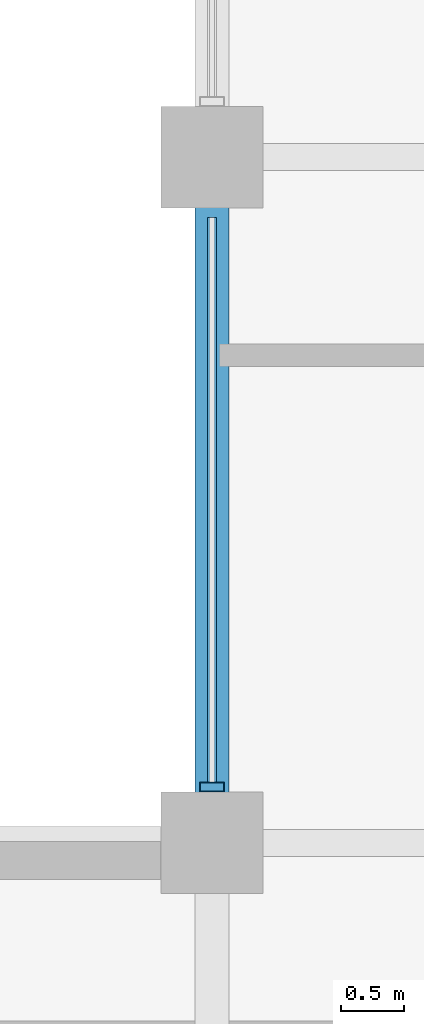
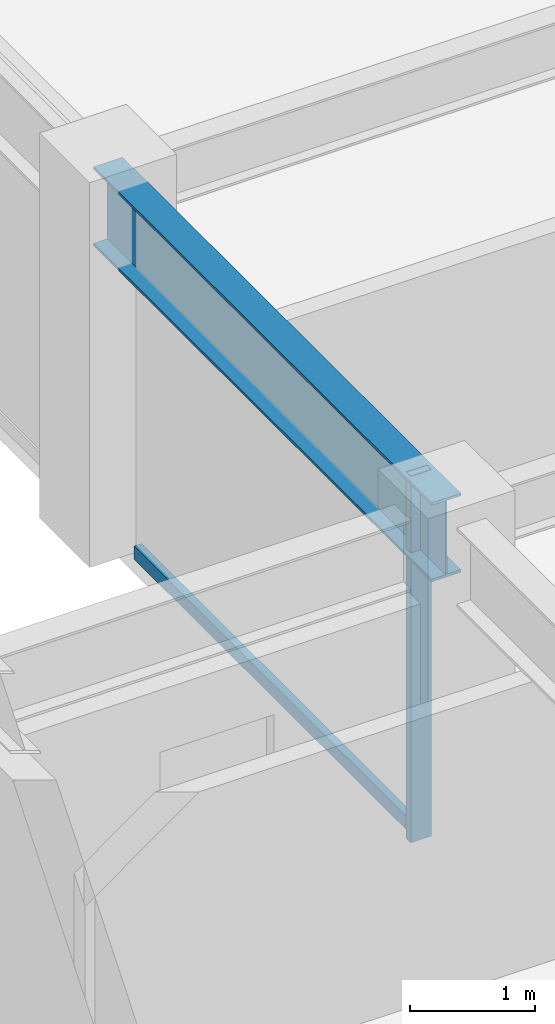
# One storey, part 7 of 28: 2 members, 1 beam, 1 element without a shape of its own.
"""IFC4 building model written with IfcOpenShell, lengths in metres."""

import ifcopenshell
import ifcopenshell.guid

model = None  # the IFC model being written
_history = None  # IfcOwnerHistory: only IFC2X3 demands one
_inside = {}  # id of a spatial element -> (the spatial element, [elements in it])
_under = {}  # id of a project, library or spatial element -> (it, [spatial elements below it])
_declared = {}  # id of a project -> (the project, [libraries it declares])
_typed = {}  # id of a type object -> (the type object, [elements of that type])
_made_of = {}  # id of a material, layer set ... -> (it, [elements and type objects made of it])


def new_model(schema):
    """Start an empty IFC model of exactly this schema.

    Asked for "IFC4X3", IfcOpenShell would pick the latest addendum, in which some entities
    have other attributes; the version numbers below select the first issue.
    IFC2X3 requires an IfcOwnerHistory on every rooted entity: one is made here for all.
    """
    global model, _history
    if schema == "IFC4X3":
        model = ifcopenshell.file(schema_version=(4, 3, 0, 0))
    else:
        model = ifcopenshell.file(schema=schema)
    _inside.clear()
    _under.clear()
    _declared.clear()
    _typed.clear()
    _made_of.clear()
    _history = None
    if model.schema == "IFC2X3":
        org = make("IfcOrganization", Name="unknown")
        user = make(
            "IfcPersonAndOrganization",
            ThePerson=make("IfcPerson", FamilyName="unknown"),
            TheOrganization=org,
        )
        app = make(
            "IfcApplication",
            ApplicationDeveloper=org,
            Version="unknown",
            ApplicationFullName="unknown",
            ApplicationIdentifier="unknown",
        )
        _history = make(
            "IfcOwnerHistory",
            OwningUser=user,
            OwningApplication=app,
            ChangeAction="ADDED",
            CreationDate=0,
        )
    return model


def make(cls, **values):
    """One entity of the class cls with the attributes given. An attribute that is None is left unset."""
    return model.create_entity(
        cls, **{name: value for name, value in values.items() if value is not None}
    )


def rooted(cls, **values):
    """An entity with a GlobalId (a new one), such as an element, a storey or a relation."""
    return make(cls, GlobalId=ifcopenshell.guid.new(), OwnerHistory=_history, **values)


def si_unit(unit_type, name, prefix=None):
    """IfcSIUnit, for example si_unit("LENGTHUNIT", "METRE", prefix="MILLI")."""
    return make("IfcSIUnit", UnitType=unit_type, Prefix=prefix, Name=name)


def assignment(units):
    """IfcUnitAssignment: the units of a project."""
    return None if units is None else make("IfcUnitAssignment", Units=units)


def point(xyz):
    """IfcCartesianPoint."""
    return None if xyz is None else make("IfcCartesianPoint", Coordinates=xyz)


def direction(xyz):
    """IfcDirection."""
    return None if xyz is None else make("IfcDirection", DirectionRatios=xyz)


def frame(location, z_axis=None, x_axis=None):
    """IfcAxis2Placement3D, a coordinate frame: its origin and axes. An axis left out is left unset."""
    return make(
        "IfcAxis2Placement3D",
        Location=point(location),
        Axis=direction(z_axis),
        RefDirection=direction(x_axis),
    )


def frame_2d(location, x_axis=None):
    """IfcAxis2Placement2D, a coordinate frame in the plane: its origin and x axis."""
    return make(
        "IfcAxis2Placement2D", Location=point(location), RefDirection=direction(x_axis)
    )


def origin():
    """The frame at (0, 0, 0) with its axes left unset."""
    return frame((0.0, 0.0, 0.0))


def origin_2d():
    """The frame at (0, 0) in the plane with its x axis left unset."""
    return frame_2d((0.0, 0.0))


def place(relative_to, where):
    """IfcLocalPlacement: puts the frame where relative to a parent placement (None: the world)."""
    return make(
        "IfcLocalPlacement", PlacementRelTo=relative_to, RelativePlacement=where
    )


def context(
    kind, dimensions, precision=None, world=None, true_north=None, identifier=None
):
    """IfcGeometricRepresentationContext, for example the 3D "Model" context."""
    return make(
        "IfcGeometricRepresentationContext",
        ContextIdentifier=identifier,
        ContextType=kind,
        CoordinateSpaceDimension=dimensions,
        Precision=precision,
        WorldCoordinateSystem=world,
        TrueNorth=true_north,
    )


def subcontext(parent, identifier, kind, view, scale=None):
    """IfcGeometricRepresentationSubContext, for example "Body" below "Model"."""
    return make(
        "IfcGeometricRepresentationSubContext",
        ContextIdentifier=identifier,
        ContextType=kind,
        ParentContext=parent,
        TargetScale=scale,
        TargetView=view,
    )


def project(units=None, contexts=None):
    """IfcProject with its units and contexts."""
    return rooted(
        "IfcProject",
        Name="project",
        RepresentationContexts=contexts,
        UnitsInContext=assignment(units),
    )


def spatial(cls, under=None, at=None, **own):
    """A site, building, storey or space (cls), placed at a placement, below another one or the project."""
    s = rooted(cls, ObjectPlacement=at, **own)
    if under is not None:
        _under.setdefault(under.id(), (under, []))[1].append(s)
    return s


def profile(cls, at=None, kind="AREA", **sizes):
    """A parametric profile (cls). Its sizes go by their IFC names, for example OverallWidth=200.0."""
    return make(cls, ProfileType=kind, Position=at, **sizes)


def hollow_rectangle(**sizes):
    """IfcRectangleHollowProfileDef."""
    return profile("IfcRectangleHollowProfileDef", **sizes)


def i_section(**sizes):
    """IfcIShapeProfileDef."""
    return profile("IfcIShapeProfileDef", **sizes)


def extrude(swept, where, along, depth):
    """IfcExtrudedAreaSolid: the profile swept, set in the frame where, extruded along a direction by depth."""
    return make(
        "IfcExtrudedAreaSolid",
        SweptArea=swept,
        Position=where,
        ExtrudedDirection=direction(along),
        Depth=depth,
    )


def shape(context_of_items, identifier, shape_type, items):
    """IfcShapeRepresentation: the items that make up one representation, for example the "Body"."""
    return make(
        "IfcShapeRepresentation",
        ContextOfItems=context_of_items,
        RepresentationIdentifier=identifier,
        RepresentationType=shape_type,
        Items=items,
    )


def material(Name=None, Category=None):
    """IfcMaterial."""
    return make("IfcMaterial", Name=Name, Category=Category)


def layer(
    of_material, thickness, ventilated=None, Name=None, Category=None, Priority=None
):
    """IfcMaterialLayer: one layer of a wall or slab, of a material (None: an air gap)."""
    return make(
        "IfcMaterialLayer",
        Material=of_material,
        LayerThickness=thickness,
        IsVentilated=ventilated,
        Name=Name,
        Category=Category,
        Priority=Priority,
    )


def layer_set(layers, Name=None):
    """IfcMaterialLayerSet."""
    return make("IfcMaterialLayerSet", MaterialLayers=layers, LayerSetName=Name)


def material_profile(
    of_material, cross_section, Name=None, Category=None, Priority=None
):
    """IfcMaterialProfile: a cross section and its material."""
    return make(
        "IfcMaterialProfile",
        Name=Name,
        Material=of_material,
        Profile=cross_section,
        Priority=Priority,
        Category=Category,
    )


def profile_set(profiles, Name=None, composite=None):
    """IfcMaterialProfileSet."""
    return make(
        "IfcMaterialProfileSet",
        Name=Name,
        MaterialProfiles=profiles,
        CompositeProfile=composite,
    )


def made_of(thing, what):
    """Note that an element or type object is made of a material, layer set ...; save() writes the relation."""
    if what is not None:
        _made_of.setdefault(what.id(), (what, []))[1].append(thing)
    return thing


def type_object(cls, material=None, **own):
    """A type object (cls), such as IfcWallType, which elements share."""
    return made_of(rooted(cls, **own), material)


def element(
    cls,
    number,
    at=None,
    inside=None,
    cuts=None,
    type_object=None,
    material=None,
    context=None,
    identifier="Body",
    shape_type=None,
    held_by="IfcProductDefinitionShape",
    body=None,
    shapes=None,
    **own,
):
    """One element of the class cls, such as IfcWall. Its Tag is "e" and its number.

    at: its placement. inside: the storey or other place that contains it. cuts: it is an
    opening in that element (IfcRelVoidsElement). A single representation is given by context,
    identifier, shape_type and body (its items); several are given by shapes. held_by: the class
    of the entity that holds the representations. save() writes the other relations.
    """
    e = rooted(cls, Tag="e%d" % number, ObjectPlacement=at, **own)
    if body is not None:
        shapes = [shape(context, identifier, shape_type, body)]
    if shapes is not None:
        e.Representation = make(held_by, Representations=shapes)
    if inside is not None:
        _inside.setdefault(inside.id(), (inside, []))[1].append(e)
    if cuts is not None:
        rooted(
            "IfcRelVoidsElement", RelatingBuildingElement=cuts, RelatedOpeningElement=e
        )
    if type_object is not None:
        _typed.setdefault(type_object.id(), (type_object, []))[1].append(e)
    return made_of(e, material)


def aggregate(whole, parts):
    """IfcRelAggregates: a whole, such as a stair, and the parts it consists of."""
    return rooted("IfcRelAggregates", RelatingObject=whole, RelatedObjects=parts)


def save(model, path):
    """Write the relations noted so far, then the file.

    IfcRelAggregates (storeys below a building ...), IfcRelContainedInSpatialStructure (elements
    in a storey), IfcRelDefinesByType, IfcRelAssociatesMaterial and IfcRelDeclares: one each for
    every whole, place, type object, material and project.
    """
    for whole, parts in _under.values():
        aggregate(whole, parts)
    for where, things in _inside.values():
        rooted(
            "IfcRelContainedInSpatialStructure",
            RelatedElements=things,
            RelatingStructure=where,
        )
    for kind, things in _typed.values():
        rooted("IfcRelDefinesByType", RelatedObjects=things, RelatingType=kind)
    for what, things in _made_of.values():
        rooted("IfcRelAssociatesMaterial", RelatedObjects=things, RelatingMaterial=what)
    for by, libraries in _declared.values():
        rooted("IfcRelDeclares", RelatingContext=by, RelatedDefinitions=libraries)
    model.write(path)


model = new_model("IFC4")

# Units and contexts
model_context = context("Model", 3, precision=1e-05, world=origin(), true_north=direction((0.0, 1.0)))
body_context = subcontext(model_context, "Body", "Model", "MODEL_VIEW")
ifc_project = project(units=[si_unit("LENGTHUNIT", "METRE"), si_unit("AREAUNIT", "SQUARE_METRE"), si_unit("VOLUMEUNIT", "CUBIC_METRE"), si_unit("PLANEANGLEUNIT", "RADIAN"), si_unit("MASSUNIT", "GRAM", prefix="KILO")], contexts=[model_context])

# Site, building, storey
site_placement = place(None, origin())
site = spatial("IfcSite", under=ifc_project, at=site_placement, CompositionType="ELEMENT")
building_placement = place(site_placement, origin())
building = spatial("IfcBuilding", under=site, at=building_placement, Name="Surkhivell Harbour Commons", CompositionType="ELEMENT")
storey_placement = place(building_placement, frame((0.0, 0.0, 242.25)))
storey = spatial("IfcBuildingStorey", under=building, at=storey_placement, Name="L63", CompositionType="ELEMENT", Elevation=242.25)

# Beam
ifc_material_1 = material(Name="Steel S355", Category="steel")
ifc_material_profile_1 = material_profile(ifc_material_1, i_section(OverallWidth=0.26806640625, OverallDepth=0.77001953125, WebThickness=0.015625, FlangeThickness=0.025390625, at=origin_2d()), Name="UB762x267x197")
ifc_profile_set_1 = profile_set([ifc_material_profile_1], Name="Steel S355")
beam_type = type_object("IfcBeamType", Name="BM-SPN-762", PredefinedType="SPANDREL", material=ifc_profile_set_1)
beam_placement = place(storey_placement, frame((-27.0, 5.39990234375, 3.18505859375), z_axis=(0.0, 1.0, 0.0), x_axis=(-1.0, 0.0, 0.0)))
element("IfcBeam", 1, at=beam_placement, inside=storey, type_object=beam_type, Name="L63 Tube Spandrel (-27.0,5.4)", PredefinedType="SPANDREL", context=body_context, shape_type="SweptSolid", body=[
    extrude(i_section(OverallWidth=0.26806640625, OverallDepth=0.77001953125, WebThickness=0.015625, FlangeThickness=0.025390625, at=origin_2d()), origin(), (0.0, 0.0, 1.0), 5.400146484375),
])

# Curtain wall, members
ifc_material_2 = material(Name="Anodised pale-metal aluminium and insulated glazing", Category="aluminium")
ifc_layer = layer(ifc_material_2, 0.18994140625)
ifc_layer_set = layer_set([ifc_layer], Name="Anodised pale-metal aluminium and insulated glazing")
curtain_wall_type = type_object("IfcCurtainWallType", Name="CW-SYS-Z3", PredefinedType="NOTDEFINED", material=ifc_layer_set)
curtain_wall_placement = place(storey_placement, origin())
curtain_wall = element("IfcCurtainWall", 2, at=curtain_wall_placement, inside=storey, type_object=curtain_wall_type, Name="L63 Curtain Wall CW-L63-E12R2", PredefinedType="NOTDEFINED")
ifc_material_3 = material(Name="Anodised pale-metal aluminium alloy 6063-T6", Category="aluminium")
ifc_material_profile_2 = material_profile(ifc_material_3, hollow_rectangle(XDim=0.074951171875, YDim=0.18994140625, WallThickness=0.00390625, at=origin_2d()), Name="ALU-MULL-75x190")
ifc_profile_set_2 = profile_set([ifc_material_profile_2], Name="Anodised pale-metal aluminium alloy 6063-T6")
member_type_1 = type_object("IfcMemberType", Name="CWM-190", PredefinedType="MULLION", material=ifc_profile_set_2)
member_1_placement = place(storey_placement, frame((-27.0, 5.839599609375, 0.0), z_axis=(0.0, 0.0, 1.0), x_axis=(0.0, 1.0, 0.0)))
member_1 = element("IfcMember", 3, at=member_1_placement, type_object=member_type_1, Name="CW-Z3 mullion 1", PredefinedType="MULLION", context=body_context, shape_type="SweptSolid", body=[
    extrude(hollow_rectangle(XDim=0.074951171875, YDim=0.18994140625, WallThickness=0.00390625, at=origin_2d()), origin(), (0.0, 0.0, 1.0), 3.570068359375),
])
ifc_material_4 = material(Name="Champagne anodised aluminium alloy 6063-T6", Category="aluminium")
ifc_material_profile_3 = material_profile(ifc_material_4, hollow_rectangle(XDim=0.070068359375, YDim=0.1298828125, WallThickness=0.00341796875, at=origin_2d()), Name="ALU-TRAN-70x130")
ifc_profile_set_3 = profile_set([ifc_material_profile_3], Name="Champagne anodised aluminium alloy 6063-T6")
member_type_2 = type_object("IfcMemberType", Name="CWT-130", PredefinedType="USERDEFINED", material=ifc_profile_set_3)
member_2_placement = place(storey_placement, frame((-27.0, 5.876953125, 0.06494140625), z_axis=(0.0, 1.0, 0.0), x_axis=(-1.0, 0.0, 0.0)))
member_2 = element("IfcMember", 4, at=member_2_placement, type_object=member_type_2, Name="CW-Z3 transom 1.1", ObjectType="TRANSOM", PredefinedType="USERDEFINED", context=body_context, shape_type="SweptSolid", body=[
    extrude(hollow_rectangle(XDim=0.070068359375, YDim=0.1298828125, WallThickness=0.00341796875, at=origin_2d()), origin(), (0.0, 0.0, 1.0), 4.446044921875),
])
aggregate(curtain_wall, [member_1, member_2])

save(model, "model.ifc")
